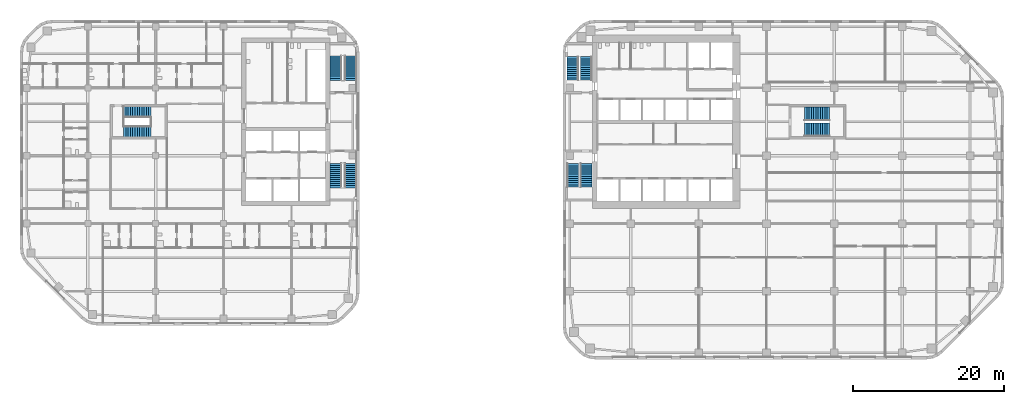
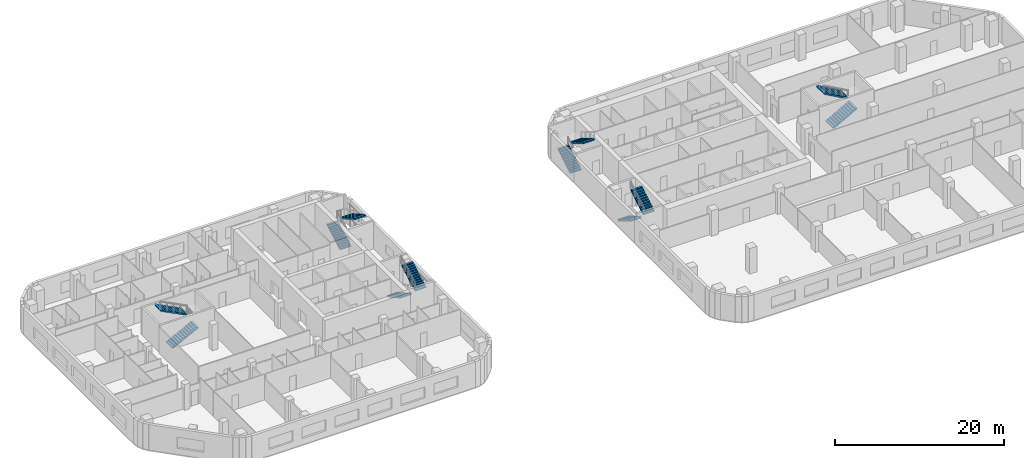
# One storey, part 13 of 16: 12 stair flights, 6 elements without a shape of their own.
"""IFC4 building model written with IfcOpenShell, lengths in metres."""

from ifc_helpers import new_model, si_unit, direction, frame, origin, place, context, subcontext, project, spatial, polyline, outline, extrude, material, type_object, element, aggregate, save


model = new_model("IFC4")

# Units and contexts
model_context = context("Model", 3, precision=1e-05, world=origin(), true_north=direction((0.0, 1.0)))
body_context = subcontext(model_context, "Body", "Model", "MODEL_VIEW")
ifc_project = project(units=[si_unit("LENGTHUNIT", "METRE"), si_unit("AREAUNIT", "SQUARE_METRE"), si_unit("VOLUMEUNIT", "CUBIC_METRE"), si_unit("PLANEANGLEUNIT", "RADIAN"), si_unit("MASSUNIT", "GRAM", prefix="KILO")], contexts=[model_context])

# Site, building, storey
site_placement = place(None, origin())
site = spatial("IfcSite", under=ifc_project, at=site_placement, CompositionType="ELEMENT")
building_placement = place(site_placement, origin())
building = spatial("IfcBuilding", under=site, at=building_placement, Name="Cinnabar Reach Civic Tower", CompositionType="ELEMENT")
storey_placement = place(building_placement, frame((0.0, 0.0, 42.0)))
storey = spatial("IfcBuildingStorey", under=building, at=storey_placement, Name="L09", CompositionType="ELEMENT", Elevation=42.0)

# Stair, stair flights
ifc_material_1 = material(Name="Concrete C40/50", Category="concrete")
stair_type_1 = type_object("IfcStairType", Name="T1 Exit stair, half-turn", PredefinedType="HALF_TURN_STAIR", material=ifc_material_1)
stair_1_placement = place(storey_placement, origin())
stair_1 = element("IfcStair", 1, at=stair_1_placement, inside=storey, type_object=stair_type_1, Name="Stair T1-S1", PredefinedType="HALF_TURN_STAIR")
stair_flight_type_1 = type_object("IfcStairFlightType", Name="T1 Stair flight, concrete", PredefinedType="STRAIGHT", material=ifc_material_1)
stair_flight_1_placement = place(storey_placement, frame((1.3125, 25.95, 0.0), z_axis=(0.0, 0.0, 1.0), x_axis=(0.0, -1.0, 0.0)))
stair_flight_1 = element("IfcStairFlight", 2, at=stair_flight_1_placement, type_object=stair_flight_type_1, Name="T1-S1 flight 1", NumberOfRisers=12, NumberOfTreads=11, PredefinedType="STRAIGHT", RiserHeight=0.166666667, TreadLength=0.28, context=body_context, shape_type="SweptSolid", body=[
    extrude(outline(polyline([(0.0, 0.0), (0.0, 0.1667), (0.28, 0.1667), (0.28, 0.3333), (0.56, 0.3333), (0.56, 0.5), (0.84, 0.5), (0.84, 0.6667), (1.12, 0.6667), (1.12, 0.8333), (1.4, 0.8333), (1.4, 1.0), (1.68, 1.0), (1.68, 1.1667), (1.96, 1.1667), (1.96, 1.3333), (2.24, 1.3333), (2.24, 1.5), (2.52, 1.5), (2.52, 1.6667), (2.8, 1.6667), (2.8, 1.8333), (3.08, 1.8333), (3.08, 2.0), (3.08, 1.6588), (0.2933, 0.0), (0.0, 0.0)])), frame((0.0, 0.7625, 0.0), z_axis=(0.0, -1.0, 0.0), x_axis=(1.0, 0.0, 0.0)), (0.0, 0.0, 1.0), 1.525),
])
stair_flight_2_placement = place(storey_placement, frame((3.0875, 22.87, 2.0), z_axis=(0.0, 0.0, 1.0), x_axis=(0.0, 1.0, 0.0)))
stair_flight_2 = element("IfcStairFlight", 3, at=stair_flight_2_placement, type_object=stair_flight_type_1, Name="T1-S1 flight 2", NumberOfRisers=12, NumberOfTreads=11, PredefinedType="STRAIGHT", RiserHeight=0.166666667, TreadLength=0.28, context=body_context, shape_type="SweptSolid", body=[
    extrude(outline(polyline([(0.0, 0.0), (0.0, 0.1667), (0.28, 0.1667), (0.28, 0.3333), (0.56, 0.3333), (0.56, 0.5), (0.84, 0.5), (0.84, 0.6667), (1.12, 0.6667), (1.12, 0.8333), (1.4, 0.8333), (1.4, 1.0), (1.68, 1.0), (1.68, 1.1667), (1.96, 1.1667), (1.96, 1.3333), (2.24, 1.3333), (2.24, 1.5), (2.52, 1.5), (2.52, 1.6667), (2.8, 1.6667), (2.8, 1.8333), (3.08, 1.8333), (3.08, 2.0), (3.08, 1.6588), (0.2933, 0.0), (0.0, 0.0)])), frame((0.0, 0.7625, 0.0), z_axis=(0.0, -1.0, 0.0), x_axis=(1.0, 0.0, 0.0)), (0.0, 0.0, 1.0), 1.525),
])
aggregate(stair_1, [stair_flight_1, stair_flight_2])

stair_2_placement = place(storey_placement, origin())
stair_2 = element("IfcStair", 4, at=stair_2_placement, inside=storey, type_object=stair_type_1, Name="Stair T1-S2", PredefinedType="HALF_TURN_STAIR")
stair_flight_3_placement = place(storey_placement, frame((1.3125, 37.05, 0.0), z_axis=(0.0, 0.0, 1.0), x_axis=(0.0, 1.0, 0.0)))
stair_flight_3 = element("IfcStairFlight", 5, at=stair_flight_3_placement, type_object=stair_flight_type_1, Name="T1-S2 flight 1", NumberOfRisers=12, NumberOfTreads=11, PredefinedType="STRAIGHT", RiserHeight=0.166666667, TreadLength=0.28, context=body_context, shape_type="SweptSolid", body=[
    extrude(outline(polyline([(0.0, 0.0), (0.0, 0.1667), (0.28, 0.1667), (0.28, 0.3333), (0.56, 0.3333), (0.56, 0.5), (0.84, 0.5), (0.84, 0.6667), (1.12, 0.6667), (1.12, 0.8333), (1.4, 0.8333), (1.4, 1.0), (1.68, 1.0), (1.68, 1.1667), (1.96, 1.1667), (1.96, 1.3333), (2.24, 1.3333), (2.24, 1.5), (2.52, 1.5), (2.52, 1.6667), (2.8, 1.6667), (2.8, 1.8333), (3.08, 1.8333), (3.08, 2.0), (3.08, 1.6588), (0.2933, 0.0), (0.0, 0.0)])), frame((0.0, 0.7625, 0.0), z_axis=(0.0, -1.0, 0.0), x_axis=(1.0, 0.0, 0.0)), (0.0, 0.0, 1.0), 1.525),
])
stair_flight_4_placement = place(storey_placement, frame((3.0875, 40.13, 2.0), z_axis=(0.0, 0.0, 1.0), x_axis=(0.0, -1.0, 0.0)))
stair_flight_4 = element("IfcStairFlight", 6, at=stair_flight_4_placement, type_object=stair_flight_type_1, Name="T1-S2 flight 2", NumberOfRisers=12, NumberOfTreads=11, PredefinedType="STRAIGHT", RiserHeight=0.166666667, TreadLength=0.28, context=body_context, shape_type="SweptSolid", body=[
    extrude(outline(polyline([(0.0, 0.0), (0.0, 0.1667), (0.28, 0.1667), (0.28, 0.3333), (0.56, 0.3333), (0.56, 0.5), (0.84, 0.5), (0.84, 0.6667), (1.12, 0.6667), (1.12, 0.8333), (1.4, 0.8333), (1.4, 1.0), (1.68, 1.0), (1.68, 1.1667), (1.96, 1.1667), (1.96, 1.3333), (2.24, 1.3333), (2.24, 1.5), (2.52, 1.5), (2.52, 1.6667), (2.8, 1.6667), (2.8, 1.8333), (3.08, 1.8333), (3.08, 2.0), (3.08, 1.6588), (0.2933, 0.0), (0.0, 0.0)])), frame((0.0, 0.7625, 0.0), z_axis=(0.0, -1.0, 0.0), x_axis=(1.0, 0.0, 0.0)), (0.0, 0.0, 1.0), 1.525),
])
aggregate(stair_2, [stair_flight_3, stair_flight_4])

stair_3_placement = place(storey_placement, origin())
stair_3 = element("IfcStair", 7, at=stair_3_placement, inside=storey, type_object=stair_type_1, Name="Stair T1-S3", PredefinedType="HALF_TURN_STAIR")
stair_flight_5_placement = place(storey_placement, frame((32.05, 30.45, 0.0), z_axis=(0.0, 0.0, 1.0), x_axis=(1.0, 0.0, 0.0)))
stair_flight_5 = element("IfcStairFlight", 8, at=stair_flight_5_placement, type_object=stair_flight_type_1, Name="T1-S3 flight 1", NumberOfRisers=12, NumberOfTreads=11, PredefinedType="STRAIGHT", RiserHeight=0.166666667, TreadLength=0.3, context=body_context, shape_type="SweptSolid", body=[
    extrude(outline(polyline([(0.0, 0.0), (0.0, 0.1667), (0.3, 0.1667), (0.3, 0.3333), (0.6, 0.3333), (0.6, 0.5), (0.9, 0.5), (0.9, 0.6667), (1.2, 0.6667), (1.2, 0.8333), (1.5, 0.8333), (1.5, 1.0), (1.8, 1.0), (1.8, 1.1667), (2.1, 1.1667), (2.1, 1.3333), (2.4, 1.3333), (2.4, 1.5), (2.7, 1.5), (2.7, 1.6667), (3.0, 1.6667), (3.0, 1.8333), (3.3, 1.8333), (3.3, 2.0), (3.3, 1.6617), (0.3089, 0.0), (0.0, 0.0)])), frame((0.0, 0.9, 0.0), z_axis=(0.0, -1.0, 0.0), x_axis=(1.0, 0.0, 0.0)), (0.0, 0.0, 1.0), 1.8),
])
stair_flight_6_placement = place(storey_placement, frame((35.35, 32.55, 2.0), z_axis=(0.0, 0.0, 1.0), x_axis=(-1.0, 0.0, 0.0)))
stair_flight_6 = element("IfcStairFlight", 9, at=stair_flight_6_placement, type_object=stair_flight_type_1, Name="T1-S3 flight 2", NumberOfRisers=12, NumberOfTreads=11, PredefinedType="STRAIGHT", RiserHeight=0.166666667, TreadLength=0.3, context=body_context, shape_type="SweptSolid", body=[
    extrude(outline(polyline([(0.0, 0.0), (0.0, 0.1667), (0.3, 0.1667), (0.3, 0.3333), (0.6, 0.3333), (0.6, 0.5), (0.9, 0.5), (0.9, 0.6667), (1.2, 0.6667), (1.2, 0.8333), (1.5, 0.8333), (1.5, 1.0), (1.8, 1.0), (1.8, 1.1667), (2.1, 1.1667), (2.1, 1.3333), (2.4, 1.3333), (2.4, 1.5), (2.7, 1.5), (2.7, 1.6667), (3.0, 1.6667), (3.0, 1.8333), (3.3, 1.8333), (3.3, 2.0), (3.3, 1.6617), (0.3089, 0.0), (0.0, 0.0)])), frame((0.0, 0.9, 0.0), z_axis=(0.0, -1.0, 0.0), x_axis=(1.0, 0.0, 0.0)), (0.0, 0.0, 1.0), 1.8),
])
aggregate(stair_3, [stair_flight_5, stair_flight_6])

ifc_material_2 = material(Name="Concrete C40", Category="concrete")
stair_type_2 = type_object("IfcStairType", Name="T2 Exit stair 1500", PredefinedType="HALF_TURN_STAIR", material=ifc_material_2)
stair_4_placement = place(storey_placement, origin())
stair_4 = element("IfcStair", 10, at=stair_4_placement, inside=storey, type_object=stair_type_2, Name="Exit stair 1", PredefinedType="HALF_TURN_STAIR")
stair_flight_type_2 = type_object("IfcStairFlightType", Name="T2 Stair flight 1500", PredefinedType="STRAIGHT", material=ifc_material_2)
stair_flight_7_placement = place(storey_placement, frame((-30.15, 26.0, 0.0), z_axis=(0.0, 0.0, 1.0), x_axis=(0.0, -1.0, 0.0)))
stair_flight_7 = element("IfcStairFlight", 11, at=stair_flight_7_placement, type_object=stair_flight_type_2, Name="ST1 flight 1", NumberOfRisers=13, NumberOfTreads=12, PredefinedType="STRAIGHT", RiserHeight=0.153846154, TreadLength=0.270833333, context=body_context, shape_type="SweptSolid", body=[
    extrude(outline(polyline([(0.0, 0.0), (0.0, 0.1538), (0.2708, 0.1538), (0.2708, 0.3077), (0.5417, 0.3077), (0.5417, 0.4615), (0.8125, 0.4615), (0.8125, 0.6154), (1.0833, 0.6154), (1.0833, 0.7692), (1.3542, 0.7692), (1.3542, 0.9231), (1.625, 0.9231), (1.625, 1.0769), (1.8958, 1.0769), (1.8958, 1.2308), (2.1667, 1.2308), (2.1667, 1.3846), (2.4375, 1.3846), (2.4375, 1.5385), (2.7083, 1.5385), (2.7083, 1.6923), (2.9792, 1.6923), (2.9792, 1.8462), (3.25, 1.8462), (3.25, 2.0), (3.25, 1.6736), (0.3037, 0.0), (0.0, 0.0)])), frame((0.0, 0.75, 0.0), z_axis=(0.0, -1.0, 0.0), x_axis=(1.0, 0.0, 0.0)), (0.0, 0.0, 1.0), 1.5),
])
stair_flight_8_placement = place(storey_placement, frame((-28.15, 22.75, 2.0), z_axis=(0.0, 0.0, 1.0), x_axis=(0.0, 1.0, 0.0)))
stair_flight_8 = element("IfcStairFlight", 12, at=stair_flight_8_placement, type_object=stair_flight_type_2, Name="ST1 flight 2", NumberOfRisers=13, NumberOfTreads=12, PredefinedType="STRAIGHT", RiserHeight=0.153846154, TreadLength=0.270833333, context=body_context, shape_type="SweptSolid", body=[
    extrude(outline(polyline([(0.0, 0.0), (0.0, 0.1538), (0.2708, 0.1538), (0.2708, 0.3077), (0.5417, 0.3077), (0.5417, 0.4615), (0.8125, 0.4615), (0.8125, 0.6154), (1.0833, 0.6154), (1.0833, 0.7692), (1.3542, 0.7692), (1.3542, 0.9231), (1.625, 0.9231), (1.625, 1.0769), (1.8958, 1.0769), (1.8958, 1.2308), (2.1667, 1.2308), (2.1667, 1.3846), (2.4375, 1.3846), (2.4375, 1.5385), (2.7083, 1.5385), (2.7083, 1.6923), (2.9792, 1.6923), (2.9792, 1.8462), (3.25, 1.8462), (3.25, 2.0), (3.25, 1.6736), (0.3037, 0.0), (0.0, 0.0)])), frame((0.0, 0.75, 0.0), z_axis=(0.0, -1.0, 0.0), x_axis=(1.0, 0.0, 0.0)), (0.0, 0.0, 1.0), 1.5),
])
aggregate(stair_4, [stair_flight_7, stair_flight_8])

stair_5_placement = place(storey_placement, origin())
stair_5 = element("IfcStair", 13, at=stair_5_placement, inside=storey, type_object=stair_type_2, Name="Exit stair 2", PredefinedType="HALF_TURN_STAIR")
stair_flight_9_placement = place(storey_placement, frame((-30.15, 37.0, 0.0), z_axis=(0.0, 0.0, 1.0), x_axis=(0.0, 1.0, 0.0)))
stair_flight_9 = element("IfcStairFlight", 14, at=stair_flight_9_placement, type_object=stair_flight_type_2, Name="ST2 flight 1", NumberOfRisers=13, NumberOfTreads=12, PredefinedType="STRAIGHT", RiserHeight=0.153846154, TreadLength=0.270833333, context=body_context, shape_type="SweptSolid", body=[
    extrude(outline(polyline([(0.0, 0.0), (0.0, 0.1538), (0.2708, 0.1538), (0.2708, 0.3077), (0.5417, 0.3077), (0.5417, 0.4615), (0.8125, 0.4615), (0.8125, 0.6154), (1.0833, 0.6154), (1.0833, 0.7692), (1.3542, 0.7692), (1.3542, 0.9231), (1.625, 0.9231), (1.625, 1.0769), (1.8958, 1.0769), (1.8958, 1.2308), (2.1667, 1.2308), (2.1667, 1.3846), (2.4375, 1.3846), (2.4375, 1.5385), (2.7083, 1.5385), (2.7083, 1.6923), (2.9792, 1.6923), (2.9792, 1.8462), (3.25, 1.8462), (3.25, 2.0), (3.25, 1.6736), (0.3037, 0.0), (0.0, 0.0)])), frame((0.0, 0.75, 0.0), z_axis=(0.0, -1.0, 0.0), x_axis=(1.0, 0.0, 0.0)), (0.0, 0.0, 1.0), 1.5),
])
stair_flight_10_placement = place(storey_placement, frame((-28.15, 40.25, 2.0), z_axis=(0.0, 0.0, 1.0), x_axis=(0.0, -1.0, 0.0)))
stair_flight_10 = element("IfcStairFlight", 15, at=stair_flight_10_placement, type_object=stair_flight_type_2, Name="ST2 flight 2", NumberOfRisers=13, NumberOfTreads=12, PredefinedType="STRAIGHT", RiserHeight=0.153846154, TreadLength=0.270833333, context=body_context, shape_type="SweptSolid", body=[
    extrude(outline(polyline([(0.0, 0.0), (0.0, 0.1538), (0.2708, 0.1538), (0.2708, 0.3077), (0.5417, 0.3077), (0.5417, 0.4615), (0.8125, 0.4615), (0.8125, 0.6154), (1.0833, 0.6154), (1.0833, 0.7692), (1.3542, 0.7692), (1.3542, 0.9231), (1.625, 0.9231), (1.625, 1.0769), (1.8958, 1.0769), (1.8958, 1.2308), (2.1667, 1.2308), (2.1667, 1.3846), (2.4375, 1.3846), (2.4375, 1.5385), (2.7083, 1.5385), (2.7083, 1.6923), (2.9792, 1.6923), (2.9792, 1.8462), (3.25, 1.8462), (3.25, 2.0), (3.25, 1.6736), (0.3037, 0.0), (0.0, 0.0)])), frame((0.0, 0.75, 0.0), z_axis=(0.0, -1.0, 0.0), x_axis=(1.0, 0.0, 0.0)), (0.0, 0.0, 1.0), 1.5),
])
aggregate(stair_5, [stair_flight_9, stair_flight_10])

stair_6_placement = place(storey_placement, origin())
stair_6 = element("IfcStair", 16, at=stair_6_placement, inside=storey, type_object=stair_type_2, Name="Exit stair 3", PredefinedType="HALF_TURN_STAIR")
stair_flight_11_placement = place(storey_placement, frame((-58.25, 30.125, 0.0), z_axis=(0.0, 0.0, 1.0), x_axis=(1.0, 0.0, 0.0)))
stair_flight_11 = element("IfcStairFlight", 17, at=stair_flight_11_placement, type_object=stair_flight_type_2, Name="ST3 flight 1", NumberOfRisers=13, NumberOfTreads=12, PredefinedType="STRAIGHT", RiserHeight=0.153846154, TreadLength=0.3, context=body_context, shape_type="SweptSolid", body=[
    extrude(outline(polyline([(0.0, 0.0), (0.0, 0.1538), (0.3, 0.1538), (0.3, 0.3077), (0.6, 0.3077), (0.6, 0.4615), (0.9, 0.4615), (0.9, 0.6154), (1.2, 0.6154), (1.2, 0.7692), (1.5, 0.7692), (1.5, 0.9231), (1.8, 0.9231), (1.8, 1.0769), (2.1, 1.0769), (2.1, 1.2308), (2.4, 1.2308), (2.4, 1.3846), (2.7, 1.3846), (2.7, 1.5385), (3.0, 1.5385), (3.0, 1.6923), (3.3, 1.6923), (3.3, 1.8462), (3.6, 1.8462), (3.6, 2.0), (3.6, 1.6776), (0.3287, 0.0), (0.0, 0.0)])), frame((0.0, 0.75, 0.0), z_axis=(0.0, -1.0, 0.0), x_axis=(1.0, 0.0, 0.0)), (0.0, 0.0, 1.0), 1.5),
])
stair_flight_12_placement = place(storey_placement, frame((-54.65, 32.875, 2.0), z_axis=(0.0, 0.0, 1.0), x_axis=(-1.0, 0.0, 0.0)))
stair_flight_12 = element("IfcStairFlight", 18, at=stair_flight_12_placement, type_object=stair_flight_type_2, Name="ST3 flight 2", NumberOfRisers=13, NumberOfTreads=12, PredefinedType="STRAIGHT", RiserHeight=0.153846154, TreadLength=0.3, context=body_context, shape_type="SweptSolid", body=[
    extrude(outline(polyline([(0.0, 0.0), (0.0, 0.1538), (0.3, 0.1538), (0.3, 0.3077), (0.6, 0.3077), (0.6, 0.4615), (0.9, 0.4615), (0.9, 0.6154), (1.2, 0.6154), (1.2, 0.7692), (1.5, 0.7692), (1.5, 0.9231), (1.8, 0.9231), (1.8, 1.0769), (2.1, 1.0769), (2.1, 1.2308), (2.4, 1.2308), (2.4, 1.3846), (2.7, 1.3846), (2.7, 1.5385), (3.0, 1.5385), (3.0, 1.6923), (3.3, 1.6923), (3.3, 1.8462), (3.6, 1.8462), (3.6, 2.0), (3.6, 1.6776), (0.3287, 0.0), (0.0, 0.0)])), frame((0.0, 0.75, 0.0), z_axis=(0.0, -1.0, 0.0), x_axis=(1.0, 0.0, 0.0)), (0.0, 0.0, 1.0), 1.5),
])
aggregate(stair_6, [stair_flight_11, stair_flight_12])

save(model, "model.ifc")
